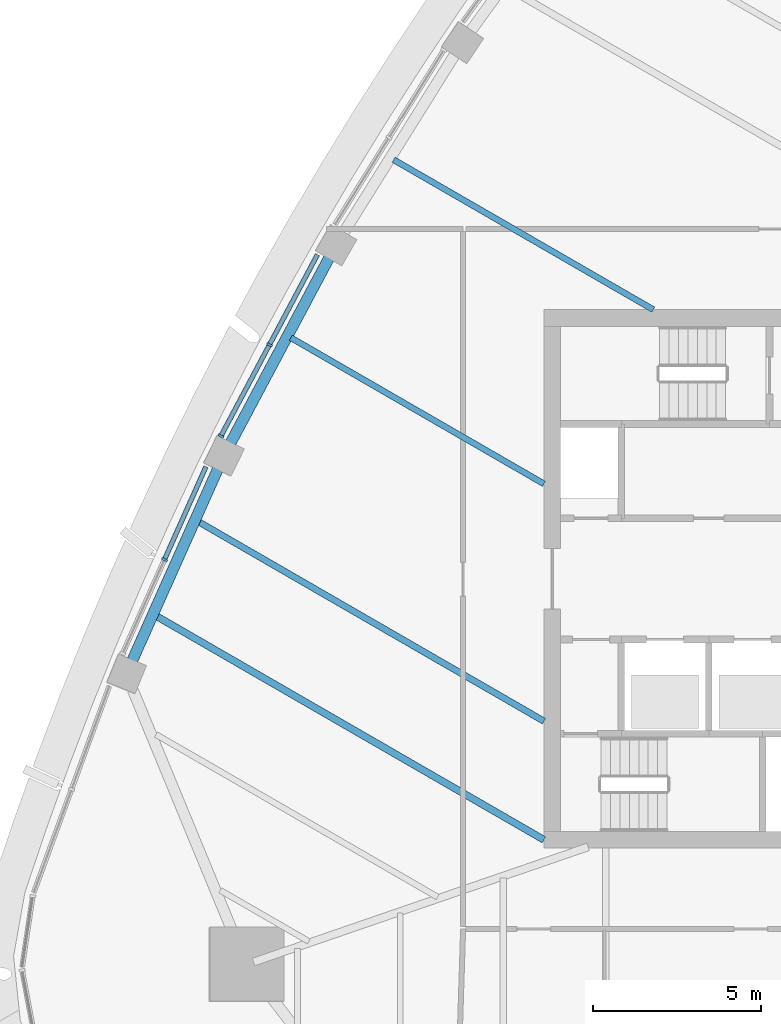
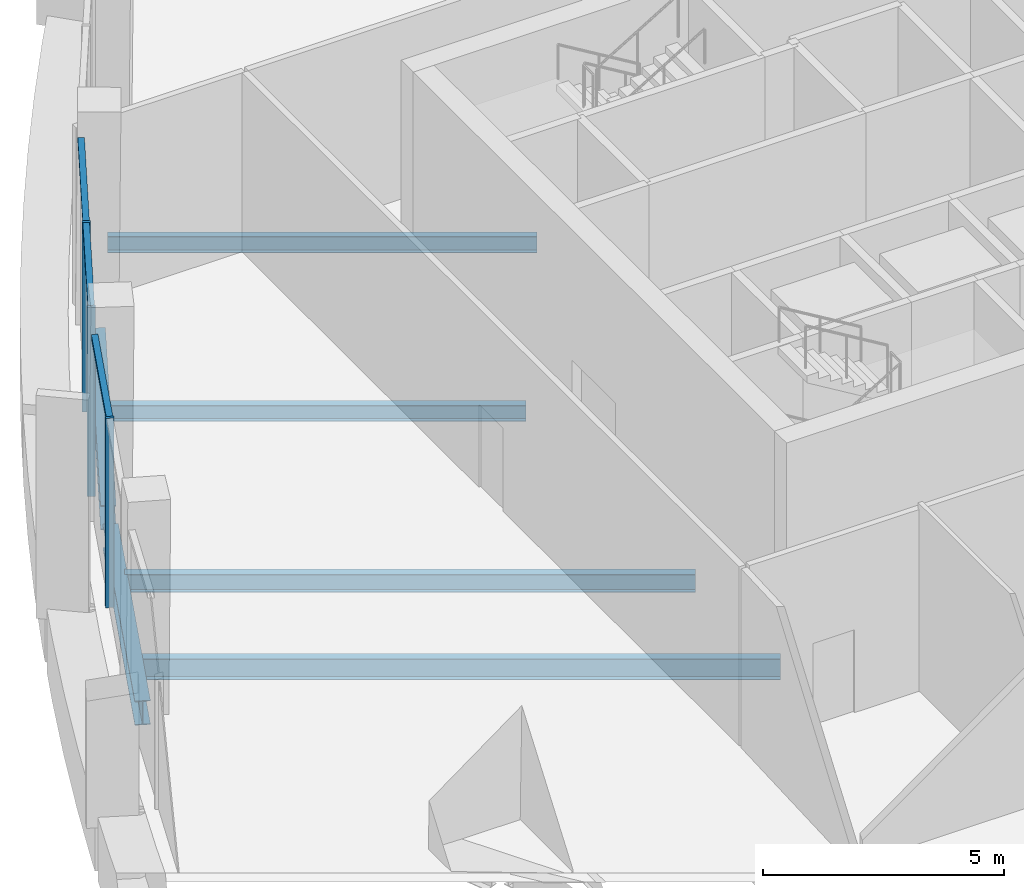
# One storey, part 3 of 19: 6 beams, 6 members, 2 elements without a shape of their own.
"""IFC4 building model written with IfcOpenShell, lengths in metres."""

from ifc_helpers import new_model, si_unit, direction, frame, origin, origin_2d, place, context, subcontext, project, spatial, rectangle, i_section, extrude, material, layer, layer_set, material_profile, profile_set, type_object, element, aggregate, save


model = new_model("IFC4")

# Units and contexts
model_context = context("Model", 3, precision=1e-05, world=origin(), true_north=direction((0.0, 1.0)))
body_context = subcontext(model_context, "Body", "Model", "MODEL_VIEW")
ifc_project = project(units=[si_unit("LENGTHUNIT", "METRE"), si_unit("AREAUNIT", "SQUARE_METRE"), si_unit("VOLUMEUNIT", "CUBIC_METRE"), si_unit("PLANEANGLEUNIT", "RADIAN"), si_unit("MASSUNIT", "GRAM", prefix="KILO")], contexts=[model_context])

# Site, building, storey
site_placement = place(None, origin())
site = spatial("IfcSite", under=ifc_project, at=site_placement, CompositionType="ELEMENT")
building_placement = place(site_placement, origin())
building = spatial("IfcBuilding", under=site, at=building_placement, Name="Sierra Prisma Convention Tower", CompositionType="ELEMENT")
storey_placement = place(building_placement, frame((0.0, 0.0, 319.0)))
storey = spatial("IfcBuildingStorey", under=building, at=storey_placement, Name="L73", CompositionType="ELEMENT", Elevation=319.0)

# Curtain wall, members
ifc_material_1 = material(Name="Aluminium and glass curtain wall", Category="aluminium")
ifc_layer = layer(ifc_material_1, 0.179931640625)
ifc_layer_set = layer_set([ifc_layer], Name="CW-1 Plain shaft curtain wall")
curtain_wall_type = type_object("IfcCurtainWallType", Name="CW-1 Plain shaft curtain wall", PredefinedType="NOTDEFINED", material=ifc_layer_set)
curtain_wall_1_placement = place(storey_placement, origin())
curtain_wall_1 = element("IfcCurtainWall", 1, at=curtain_wall_1_placement, inside=storey, type_object=curtain_wall_type, Name="CW-1 NW4 L73", PredefinedType="NOTDEFINED")
ifc_material_2 = material(Name="Aluminium 6063-T6 bronze anodised", Category="aluminium")
ifc_material_profile_1 = material_profile(ifc_material_2, rectangle(XDim=0.179931640625, YDim=0.070068359375, at=origin_2d()), Name="ALU MULLION 70x180")
ifc_profile_set_1 = profile_set([ifc_material_profile_1], Name="Aluminium 6063-T6 bronze anodised")
member_type_1 = type_object("IfcMemberType", Name="CW mullion bronze", PredefinedType="MULLION", material=ifc_profile_set_1)
member_1_placement = place(storey_placement, frame((-19.152587890625, 6.955322265625, 0.0), z_axis=(0.0, 0.0, 1.0), x_axis=(0.882783680684, -0.46977970701, 0.0)))
member_1 = element("IfcMember", 2, at=member_1_placement, type_object=member_type_1, Name="CW-1 mullion NW4.2", PredefinedType="MULLION", context=body_context, shape_type="SweptSolid", body=[
    extrude(rectangle(XDim=0.179931640625, YDim=0.070068359375, at=origin_2d()), origin(), (0.0, 0.0, 1.0), 4.800048828125),
])
member_2_placement = place(storey_placement, frame((-20.594970703125, 4.2451171875, 0.0), z_axis=(0.0, 0.0, 1.0), x_axis=(0.882783680684, -0.46977970701, 0.0)))
member_2 = element("IfcMember", 3, at=member_2_placement, type_object=member_type_1, Name="CW-1 mullion NW4.3", PredefinedType="MULLION", context=body_context, shape_type="SweptSolid", body=[
    extrude(rectangle(XDim=0.179931640625, YDim=0.070068359375, at=origin_2d()), origin(), (0.0, 0.0, 1.0), 4.800048828125),
])

# Curtain wall, member
curtain_wall_2_placement = place(storey_placement, origin())
curtain_wall_2 = element("IfcCurtainWall", 4, at=curtain_wall_2_placement, inside=storey, type_object=curtain_wall_type, Name="CW-1 NW5 L73", PredefinedType="NOTDEFINED")
member_3_placement = place(storey_placement, frame((-22.271240234375, 0.574462890625, 0.0), z_axis=(0.0, 0.0, 1.0), x_axis=(0.91311907033, -0.407692976883, 0.0)))
member_3 = element("IfcMember", 5, at=member_3_placement, type_object=member_type_1, Name="CW-1 mullion NW5.2", PredefinedType="MULLION", context=body_context, shape_type="SweptSolid", body=[
    extrude(rectangle(XDim=0.179931640625, YDim=0.070068359375, at=origin_2d()), origin(), (0.0, 0.0, 1.0), 4.800048828125),
])

# Member
ifc_material_3 = material(Name="Aluminium 6063-T6 bronze anodised", Category="aluminium")
ifc_material_profile_2 = material_profile(ifc_material_3, rectangle(XDim=0.139892578125, YDim=0.1201171875, at=origin_2d()), Name="ALU TRANSOM 120x140")
ifc_profile_set_2 = profile_set([ifc_material_profile_2], Name="Aluminium 6063-T6 bronze anodised")
member_type_2 = type_object("IfcMemberType", Name="CW transom bronze", PredefinedType="USERDEFINED", material=ifc_profile_set_2)
member_4_placement = place(storey_placement, frame((-17.726806640625, 9.634521484375, 4.739990234375), z_axis=(-0.469789759099, -0.882778331319, 0.0), x_axis=(0.882778331319, -0.469789759099, 0.0)))
member_4 = element("IfcMember", 6, at=member_4_placement, type_object=member_type_2, Name="CW-1 transom NW4.1", ObjectType="TRANSOM", PredefinedType="USERDEFINED", context=body_context, shape_type="SweptSolid", body=[
    extrude(rectangle(XDim=0.139892578125, YDim=0.1201171875, at=origin_2d()), origin(), (0.0, 0.0, 1.0), 3.0),
])

member_5_placement = place(storey_placement, frame((-19.169189453125, 6.92431640625, 4.739990234375), z_axis=(-0.469726338517, -0.882812079042, 0.0), x_axis=(0.882812079042, -0.469726338517, 0.0)))
member_5 = element("IfcMember", 7, at=member_5_placement, type_object=member_type_2, Name="CW-1 transom NW4.2", ObjectType="TRANSOM", PredefinedType="USERDEFINED", context=body_context, shape_type="SweptSolid", body=[
    extrude(rectangle(XDim=0.139892578125, YDim=0.1201171875, at=origin_2d()), origin(), (0.0, 0.0, 1.0), 3.0),
])

aggregate(curtain_wall_1, [member_1, member_2, member_4, member_5])

member_6_placement = place(storey_placement, frame((-21.040283203125, 3.33154296875, 4.739990234375), z_axis=(-0.407716614009, -0.913108516366, 0.0), x_axis=(0.913108516366, -0.407716614009, 0.0)))
member_6 = element("IfcMember", 8, at=member_6_placement, type_object=member_type_2, Name="CW-1 transom NW5.1", ObjectType="TRANSOM", PredefinedType="USERDEFINED", context=body_context, shape_type="SweptSolid", body=[
    extrude(rectangle(XDim=0.139892578125, YDim=0.1201171875, at=origin_2d()), origin(), (0.0, 0.0, 1.0), 2.984375),
])

aggregate(curtain_wall_2, [member_3, member_6])

# Beams
ifc_material_4 = material(Name="Steel ASTM A992 Gr 50", Category="steel")
ifc_material_profile_3 = material_profile(ifc_material_4, i_section(OverallWidth=0.177978515625, OverallDepth=0.406982421875, WebThickness=0.0078125, FlangeThickness=0.0126953125, at=origin_2d()), Name="W410x60")
ifc_profile_set_3 = profile_set([ifc_material_profile_3], Name="Steel ASTM A992 Gr 50")
beam_type_1 = type_object("IfcBeamType", Name="Floor joist W410x60", PredefinedType="JOIST", material=ifc_profile_set_3)
beam_1_placement = place(storey_placement, frame((-15.464111328125, 12.45361328125, -0.353515625), z_axis=(0.866031770531, -0.499988972309, 0.0), x_axis=(0.499988972309, 0.866031770531, 0.0)))
element("IfcBeam", 9, at=beam_1_placement, inside=storey, type_object=beam_type_1, Name="Floor joist L73 NW06", PredefinedType="JOIST", context=body_context, shape_type="SweptSolid", body=[
    extrude(i_section(OverallWidth=0.177978515625, OverallDepth=0.406982421875, WebThickness=0.0078125, FlangeThickness=0.0126953125, at=origin_2d()), origin(), (0.0, 0.0, 1.0), 8.907470703125),
])
beam_2_placement = place(storey_placement, frame((-18.51708984375, 7.165283203125, -0.353515625), z_axis=(0.866032891431, -0.499987030792, 0.0), x_axis=(0.499987030792, 0.866032891431, 0.0)))
element("IfcBeam", 10, at=beam_2_placement, inside=storey, type_object=beam_type_1, Name="Floor joist L73 NW08", PredefinedType="JOIST", context=body_context, shape_type="SweptSolid", body=[
    extrude(i_section(OverallWidth=0.177978515625, OverallDepth=0.406982421875, WebThickness=0.0078125, FlangeThickness=0.0126953125, at=origin_2d()), origin(), (0.0, 0.0, 1.0), 8.679931640625),
])
ifc_material_5 = material(Name="Steel ASTM A992 Gr 50", Category="steel")
ifc_material_profile_4 = material_profile(ifc_material_5, i_section(OverallWidth=0.18994140625, OverallDepth=0.45703125, WebThickness=0.009033203125, FlangeThickness=0.014404296875, at=origin_2d()), Name="W460x74")
ifc_profile_set_4 = profile_set([ifc_material_profile_4], Name="Steel ASTM A992 Gr 50")
beam_type_2 = type_object("IfcBeamType", Name="Floor joist W460x74", PredefinedType="JOIST", material=ifc_profile_set_4)
beam_3_placement = place(storey_placement, frame((-21.262451171875, 1.69921875, -0.37841796875), z_axis=(0.866024677295, -0.500001258315, 0.0), x_axis=(0.500001258315, 0.866024677295, 0.0)))
element("IfcBeam", 11, at=beam_3_placement, inside=storey, type_object=beam_type_2, Name="Floor joist L73 NW10", PredefinedType="JOIST", context=body_context, shape_type="SweptSolid", body=[
    extrude(i_section(OverallWidth=0.18994140625, OverallDepth=0.45703125, WebThickness=0.009033203125, FlangeThickness=0.014404296875, at=origin_2d()), origin(), (0.0, 0.0, 1.0), 11.85009765625),
])
ifc_material_6 = material(Name="Steel ASTM A992 Gr 50", Category="steel")
ifc_material_profile_5 = material_profile(ifc_material_6, i_section(OverallWidth=0.208984375, OverallDepth=0.532958984375, WebThickness=0.01025390625, FlangeThickness=0.015625, at=origin_2d()), Name="W530x92")
ifc_profile_set_5 = profile_set([ifc_material_profile_5], Name="Steel ASTM A992 Gr 50")
beam_type_3 = type_object("IfcBeamType", Name="Floor joist W530x92", PredefinedType="JOIST", material=ifc_profile_set_5)
beam_4_placement = place(storey_placement, frame((-22.51416015625, -1.103759765625, -0.41650390625), z_axis=(0.866033302551, -0.499986318686, 0.0), x_axis=(0.499986318686, 0.866033302551, 0.0)))
element("IfcBeam", 12, at=beam_4_placement, inside=storey, type_object=beam_type_3, Name="Floor joist L73 NW11", PredefinedType="JOIST", context=body_context, shape_type="SweptSolid", body=[
    extrude(i_section(OverallWidth=0.208984375, OverallDepth=0.532958984375, WebThickness=0.01025390625, FlangeThickness=0.015625, at=origin_2d()), origin(), (0.0, 0.0, 1.0), 13.295166015625),
])
ifc_material_7 = material(Name="Steel ASTM A992 Gr 50", Category="steel")
ifc_material_profile_6 = material_profile(ifc_material_7, i_section(OverallWidth=0.324951171875, OverallDepth=0.615966796875, WebThickness=0.013916015625, FlangeThickness=0.021484375, at=origin_2d()), Name="W610x174")
ifc_profile_set_6 = profile_set([ifc_material_profile_6], Name="Steel ASTM A992 Gr 50")
beam_type_4 = type_object("IfcBeamType", Name="Spandrel beam W610x174", PredefinedType="BEAM", material=ifc_profile_set_6)
beam_5_placement = place(storey_placement, frame((-17.334716796875, 9.626953125, -0.4580078125), z_axis=(-0.469765182988, -0.882791409594, 0.0), x_axis=(0.882791409594, -0.469765182988, 0.0)))
element("IfcBeam", 13, at=beam_5_placement, inside=storey, type_object=beam_type_4, Name="Spandrel L73-16", PredefinedType="BEAM", context=body_context, shape_type="SweptSolid", body=[
    extrude(i_section(OverallWidth=0.324951171875, OverallDepth=0.615966796875, WebThickness=0.013916015625, FlangeThickness=0.021484375, at=origin_2d()), origin(), (0.0, 0.0, 1.0), 6.43701171875),
])
beam_6_placement = place(storey_placement, frame((-20.6484375, 3.35107421875, -0.4580078125), z_axis=(-0.407693191646, -0.913118974442, 0.0), x_axis=(0.913118974442, -0.407693191646, 0.0)))
element("IfcBeam", 14, at=beam_6_placement, inside=storey, type_object=beam_type_4, Name="Spandrel L73-17", PredefinedType="BEAM", context=body_context, shape_type="SweptSolid", body=[
    extrude(i_section(OverallWidth=0.324951171875, OverallDepth=0.615966796875, WebThickness=0.013916015625, FlangeThickness=0.021484375, at=origin_2d()), origin(), (0.0, 0.0, 1.0), 6.4375),
])

save(model, "model.ifc")
